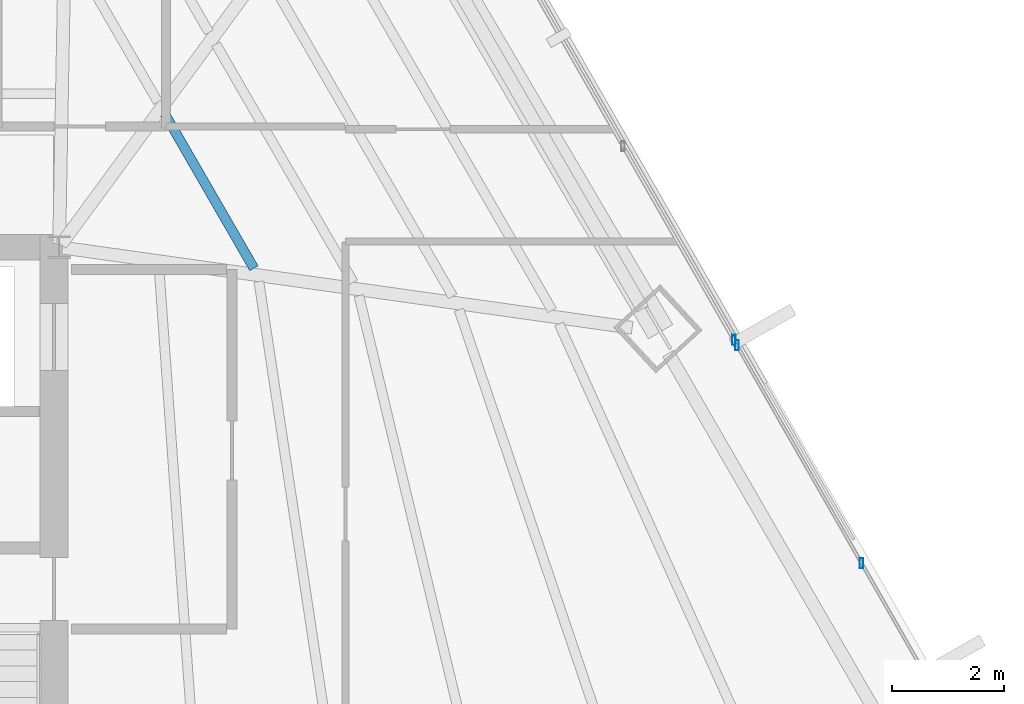
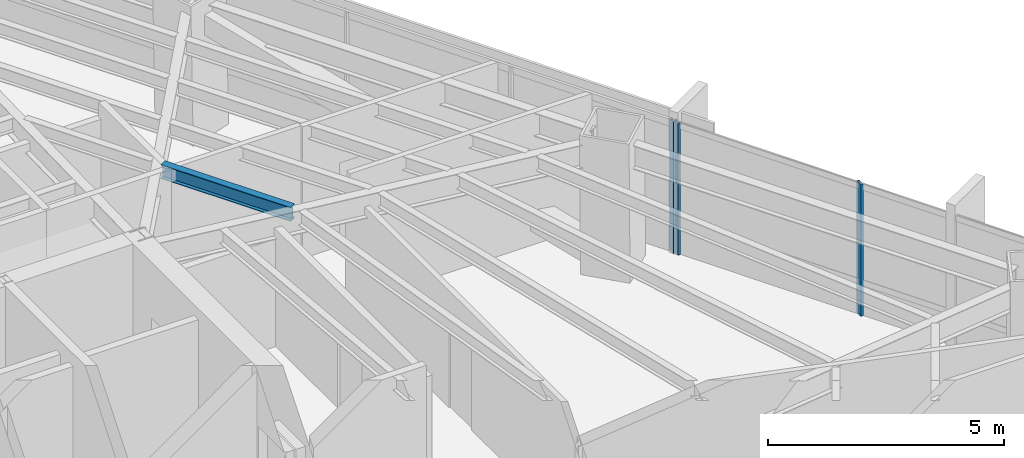
# One storey, part 21 of 35: 3 members, 1 beam, 2 elements without a shape of their own.
"""IFC4 building model written with IfcOpenShell, lengths in metres."""

import ifcopenshell
import ifcopenshell.guid

model = None  # the IFC model being written
_history = None  # IfcOwnerHistory: only IFC2X3 demands one
_inside = {}  # id of a spatial element -> (the spatial element, [elements in it])
_under = {}  # id of a project, library or spatial element -> (it, [spatial elements below it])
_declared = {}  # id of a project -> (the project, [libraries it declares])
_typed = {}  # id of a type object -> (the type object, [elements of that type])
_made_of = {}  # id of a material, layer set ... -> (it, [elements and type objects made of it])


def new_model(schema):
    """Start an empty IFC model of exactly this schema.

    Asked for "IFC4X3", IfcOpenShell would pick the latest addendum, in which some entities
    have other attributes; the version numbers below select the first issue.
    IFC2X3 requires an IfcOwnerHistory on every rooted entity: one is made here for all.
    """
    global model, _history
    if schema == "IFC4X3":
        model = ifcopenshell.file(schema_version=(4, 3, 0, 0))
    else:
        model = ifcopenshell.file(schema=schema)
    _inside.clear()
    _under.clear()
    _declared.clear()
    _typed.clear()
    _made_of.clear()
    _history = None
    if model.schema == "IFC2X3":
        org = make("IfcOrganization", Name="unknown")
        user = make(
            "IfcPersonAndOrganization",
            ThePerson=make("IfcPerson", FamilyName="unknown"),
            TheOrganization=org,
        )
        app = make(
            "IfcApplication",
            ApplicationDeveloper=org,
            Version="unknown",
            ApplicationFullName="unknown",
            ApplicationIdentifier="unknown",
        )
        _history = make(
            "IfcOwnerHistory",
            OwningUser=user,
            OwningApplication=app,
            ChangeAction="ADDED",
            CreationDate=0,
        )
    return model


def make(cls, **values):
    """One entity of the class cls with the attributes given. An attribute that is None is left unset."""
    return model.create_entity(
        cls, **{name: value for name, value in values.items() if value is not None}
    )


def rooted(cls, **values):
    """An entity with a GlobalId (a new one), such as an element, a storey or a relation."""
    return make(cls, GlobalId=ifcopenshell.guid.new(), OwnerHistory=_history, **values)


def si_unit(unit_type, name, prefix=None):
    """IfcSIUnit, for example si_unit("LENGTHUNIT", "METRE", prefix="MILLI")."""
    return make("IfcSIUnit", UnitType=unit_type, Prefix=prefix, Name=name)


def assignment(units):
    """IfcUnitAssignment: the units of a project."""
    return None if units is None else make("IfcUnitAssignment", Units=units)


def point(xyz):
    """IfcCartesianPoint."""
    return None if xyz is None else make("IfcCartesianPoint", Coordinates=xyz)


def direction(xyz):
    """IfcDirection."""
    return None if xyz is None else make("IfcDirection", DirectionRatios=xyz)


def frame(location, z_axis=None, x_axis=None):
    """IfcAxis2Placement3D, a coordinate frame: its origin and axes. An axis left out is left unset."""
    return make(
        "IfcAxis2Placement3D",
        Location=point(location),
        Axis=direction(z_axis),
        RefDirection=direction(x_axis),
    )


def frame_2d(location, x_axis=None):
    """IfcAxis2Placement2D, a coordinate frame in the plane: its origin and x axis."""
    return make(
        "IfcAxis2Placement2D", Location=point(location), RefDirection=direction(x_axis)
    )


def origin():
    """The frame at (0, 0, 0) with its axes left unset."""
    return frame((0.0, 0.0, 0.0))


def origin_2d():
    """The frame at (0, 0) in the plane with its x axis left unset."""
    return frame_2d((0.0, 0.0))


def place(relative_to, where):
    """IfcLocalPlacement: puts the frame where relative to a parent placement (None: the world)."""
    return make(
        "IfcLocalPlacement", PlacementRelTo=relative_to, RelativePlacement=where
    )


def context(
    kind, dimensions, precision=None, world=None, true_north=None, identifier=None
):
    """IfcGeometricRepresentationContext, for example the 3D "Model" context."""
    return make(
        "IfcGeometricRepresentationContext",
        ContextIdentifier=identifier,
        ContextType=kind,
        CoordinateSpaceDimension=dimensions,
        Precision=precision,
        WorldCoordinateSystem=world,
        TrueNorth=true_north,
    )


def subcontext(parent, identifier, kind, view, scale=None):
    """IfcGeometricRepresentationSubContext, for example "Body" below "Model"."""
    return make(
        "IfcGeometricRepresentationSubContext",
        ContextIdentifier=identifier,
        ContextType=kind,
        ParentContext=parent,
        TargetScale=scale,
        TargetView=view,
    )


def project(units=None, contexts=None):
    """IfcProject with its units and contexts."""
    return rooted(
        "IfcProject",
        Name="project",
        RepresentationContexts=contexts,
        UnitsInContext=assignment(units),
    )


def spatial(cls, under=None, at=None, **own):
    """A site, building, storey or space (cls), placed at a placement, below another one or the project."""
    s = rooted(cls, ObjectPlacement=at, **own)
    if under is not None:
        _under.setdefault(under.id(), (under, []))[1].append(s)
    return s


def profile(cls, at=None, kind="AREA", **sizes):
    """A parametric profile (cls). Its sizes go by their IFC names, for example OverallWidth=200.0."""
    return make(cls, ProfileType=kind, Position=at, **sizes)


def hollow_rectangle(**sizes):
    """IfcRectangleHollowProfileDef."""
    return profile("IfcRectangleHollowProfileDef", **sizes)


def i_section(**sizes):
    """IfcIShapeProfileDef."""
    return profile("IfcIShapeProfileDef", **sizes)


def extrude(swept, where, along, depth):
    """IfcExtrudedAreaSolid: the profile swept, set in the frame where, extruded along a direction by depth."""
    return make(
        "IfcExtrudedAreaSolid",
        SweptArea=swept,
        Position=where,
        ExtrudedDirection=direction(along),
        Depth=depth,
    )


def shape(context_of_items, identifier, shape_type, items):
    """IfcShapeRepresentation: the items that make up one representation, for example the "Body"."""
    return make(
        "IfcShapeRepresentation",
        ContextOfItems=context_of_items,
        RepresentationIdentifier=identifier,
        RepresentationType=shape_type,
        Items=items,
    )


def source(mapping_origin, context_of_items, identifier, shape_type, items):
    """IfcRepresentationMap: a shape defined once, which mapped items show again and again."""
    return make(
        "IfcRepresentationMap",
        MappingOrigin=mapping_origin,
        MappedRepresentation=shape(context_of_items, identifier, shape_type, items),
    )


def transform(
    local_origin,
    x_axis=None,
    y_axis=None,
    z_axis=None,
    scale=None,
    scale2=None,
    scale3=None,
    uniform=True,
):
    """IfcCartesianTransformationOperator3D, or its non-uniform kind. x_axis, y_axis, z_axis: its Axis1, 2, 3."""
    if uniform:
        return make(
            "IfcCartesianTransformationOperator3D",
            Axis1=direction(x_axis),
            Axis2=direction(y_axis),
            LocalOrigin=point(local_origin),
            Scale=scale,
            Axis3=direction(z_axis),
        )
    return make(
        "IfcCartesianTransformationOperator3DnonUniform",
        Axis1=direction(x_axis),
        Axis2=direction(y_axis),
        LocalOrigin=point(local_origin),
        Scale=scale,
        Axis3=direction(z_axis),
        Scale2=scale2,
        Scale3=scale3,
    )


def mapped(mapping_source, mapping_target):
    """IfcMappedItem: shows the shape of a source again, moved by a transform."""
    return make(
        "IfcMappedItem", MappingSource=mapping_source, MappingTarget=mapping_target
    )


def material(Name=None, Category=None):
    """IfcMaterial."""
    return make("IfcMaterial", Name=Name, Category=Category)


def material_profile(
    of_material, cross_section, Name=None, Category=None, Priority=None
):
    """IfcMaterialProfile: a cross section and its material."""
    return make(
        "IfcMaterialProfile",
        Name=Name,
        Material=of_material,
        Profile=cross_section,
        Priority=Priority,
        Category=Category,
    )


def profile_set(profiles, Name=None, composite=None):
    """IfcMaterialProfileSet."""
    return make(
        "IfcMaterialProfileSet",
        Name=Name,
        MaterialProfiles=profiles,
        CompositeProfile=composite,
    )


def made_of(thing, what):
    """Note that an element or type object is made of a material, layer set ...; save() writes the relation."""
    if what is not None:
        _made_of.setdefault(what.id(), (what, []))[1].append(thing)
    return thing


def type_object(cls, material=None, **own):
    """A type object (cls), such as IfcWallType, which elements share."""
    return made_of(rooted(cls, **own), material)


def type_shapes(of_type, sources):
    """Give a type object the sources (RepresentationMaps) that its elements show as mapped items."""
    of_type.RepresentationMaps = sources


def element(
    cls,
    number,
    at=None,
    inside=None,
    cuts=None,
    type_object=None,
    material=None,
    context=None,
    identifier="Body",
    shape_type=None,
    held_by="IfcProductDefinitionShape",
    body=None,
    shapes=None,
    **own,
):
    """One element of the class cls, such as IfcWall. Its Tag is "e" and its number.

    at: its placement. inside: the storey or other place that contains it. cuts: it is an
    opening in that element (IfcRelVoidsElement). A single representation is given by context,
    identifier, shape_type and body (its items); several are given by shapes. held_by: the class
    of the entity that holds the representations. save() writes the other relations.
    """
    e = rooted(cls, Tag="e%d" % number, ObjectPlacement=at, **own)
    if body is not None:
        shapes = [shape(context, identifier, shape_type, body)]
    if shapes is not None:
        e.Representation = make(held_by, Representations=shapes)
    if inside is not None:
        _inside.setdefault(inside.id(), (inside, []))[1].append(e)
    if cuts is not None:
        rooted(
            "IfcRelVoidsElement", RelatingBuildingElement=cuts, RelatedOpeningElement=e
        )
    if type_object is not None:
        _typed.setdefault(type_object.id(), (type_object, []))[1].append(e)
    return made_of(e, material)


def aggregate(whole, parts):
    """IfcRelAggregates: a whole, such as a stair, and the parts it consists of."""
    return rooted("IfcRelAggregates", RelatingObject=whole, RelatedObjects=parts)


def save(model, path):
    """Write the relations noted so far, then the file.

    IfcRelAggregates (storeys below a building ...), IfcRelContainedInSpatialStructure (elements
    in a storey), IfcRelDefinesByType, IfcRelAssociatesMaterial and IfcRelDeclares: one each for
    every whole, place, type object, material and project.
    """
    for whole, parts in _under.values():
        aggregate(whole, parts)
    for where, things in _inside.values():
        rooted(
            "IfcRelContainedInSpatialStructure",
            RelatedElements=things,
            RelatingStructure=where,
        )
    for kind, things in _typed.values():
        rooted("IfcRelDefinesByType", RelatedObjects=things, RelatingType=kind)
    for what, things in _made_of.values():
        rooted("IfcRelAssociatesMaterial", RelatedObjects=things, RelatingMaterial=what)
    for by, libraries in _declared.values():
        rooted("IfcRelDeclares", RelatingContext=by, RelatedDefinitions=libraries)
    model.write(path)


model = new_model("IFC4")

# Units and contexts
model_context = context("Model", 3, precision=1e-05, world=origin(), true_north=direction((0.0, 1.0)))
body_context = subcontext(model_context, "Body", "Model", "MODEL_VIEW")
ifc_project = project(units=[si_unit("LENGTHUNIT", "METRE"), si_unit("AREAUNIT", "SQUARE_METRE"), si_unit("VOLUMEUNIT", "CUBIC_METRE"), si_unit("PLANEANGLEUNIT", "RADIAN"), si_unit("MASSUNIT", "GRAM", prefix="KILO")], contexts=[model_context])

# Site, building, storey
site_placement = place(None, origin())
site = spatial("IfcSite", under=ifc_project, at=site_placement, CompositionType="ELEMENT")
building_placement = place(site_placement, origin())
building = spatial("IfcBuilding", under=site, at=building_placement, Name="Caelisora Broadcast Tower", CompositionType="ELEMENT")
storey_placement = place(building_placement, frame((0.0, 0.0, 87.14990234375)))
storey = spatial("IfcBuildingStorey", under=building, at=storey_placement, Name="L22", CompositionType="ELEMENT", Elevation=87.14990234375)

# Beam
ifc_material_1 = material(Name="Steel Grade 350 (AS/NZS 3679.1)", Category="steel")
ifc_material_profile_1 = material_profile(ifc_material_1, i_section(OverallWidth=0.172119140625, OverallDepth=0.358642578125, WebThickness=0.008056640625, FlangeThickness=0.012939453125, at=origin_2d()), Name="Steel Grade 350 (AS/NZS 3679.1)")
ifc_profile_set_1 = profile_set([ifc_material_profile_1], Name="Steel Grade 350 (AS/NZS 3679.1)")
beam_type = type_object("IfcBeamType", Name="SB02", PredefinedType="JOIST", material=ifc_profile_set_1)
shared_shape_1 = source(origin(), body_context, "Body", "SweptSolid", [
    extrude(i_section(OverallWidth=0.172119140625, OverallDepth=0.358642578125, WebThickness=0.008056640625, FlangeThickness=0.012939453125, at=origin_2d()), origin(), (0.0, 0.0, 1.0), 3.17724609375),
])
type_shapes(beam_type, [shared_shape_1])
beam_placement = place(storey_placement, frame((48.970458984375, 29.624267578125, 3.220703125), z_axis=(-0.499981853705, 0.866035880299, 0.0), x_axis=(-0.866035880299, -0.499981853705, 0.0)))
element("IfcBeam", 1, at=beam_placement, inside=storey, type_object=beam_type, Name="L22 beam SB02", PredefinedType="JOIST", context=body_context, shape_type="MappedRepresentation", body=[
    mapped(shared_shape_1, transform((0.0, 0.0, 0.0), scale=1.0)),
])

# Curtain wall, member
ifc_material_2 = material(Name="Unitised Aluminium Insulated Shadow-Box Spandrel Curtain Wall", Category="aluminium")
curtain_wall_type_1 = type_object("IfcCurtainWallType", Name="CW-SP1", PredefinedType="NOTDEFINED", material=ifc_material_2)
curtain_wall_1_placement = place(storey_placement, origin())
curtain_wall_1 = element("IfcCurtainWall", 2, at=curtain_wall_1_placement, inside=storey, type_object=curtain_wall_type_1, Name="L22 curtain wall CW-SP1", PredefinedType="NOTDEFINED")
ifc_material_3 = material(Name="Aluminium 6063-T6 Anodised Terracotta Bronze", Category="aluminium")
ifc_material_profile_2 = material_profile(ifc_material_3, hollow_rectangle(XDim=0.06494140625, YDim=0.179931640625, WallThickness=0.00341796875, at=origin_2d()), Name="Aluminium 6063-T6 Anodised Terracotta Bronze")
ifc_profile_set_2 = profile_set([ifc_material_profile_2], Name="Aluminium 6063-T6 Anodised Terracotta Bronze")
member_type = type_object("IfcMemberType", Name="CWM-02", PredefinedType="MULLION", material=ifc_profile_set_2)
shared_shape_2 = source(origin(), body_context, "Body", "SweptSolid", [
    extrude(hollow_rectangle(XDim=0.06494140625, YDim=0.179931640625, WallThickness=0.00341796875, at=origin_2d()), origin(), (0.0, 0.0, 1.0), 3.400146484375),
])
type_shapes(member_type, [shared_shape_2])
member_1_placement = place(storey_placement, frame((57.51953125, 28.348388671875, 0.0), z_axis=(0.0, 0.0, 1.0), x_axis=(1.0, 0.0, 0.0)))
member_1 = element("IfcMember", 3, at=member_1_placement, type_object=member_type, Name="L22-CW-B02 mullion #3", PredefinedType="MULLION", context=body_context, shape_type="MappedRepresentation", body=[
    mapped(shared_shape_2, transform((0.0, 0.0, 0.0), scale=1.0)),
])
aggregate(curtain_wall_1, [member_1])

# Curtain wall, members
ifc_material_4 = material(Name="Unitised Aluminium and Low-E Glass Curtain Wall", Category="glass")
curtain_wall_type_2 = type_object("IfcCurtainWallType", Name="CW-Z2", PredefinedType="NOTDEFINED", material=ifc_material_4)
curtain_wall_2_placement = place(storey_placement, origin())
curtain_wall_2 = element("IfcCurtainWall", 4, at=curtain_wall_2_placement, inside=storey, type_object=curtain_wall_type_2, Name="L22 curtain wall CW-Z2", PredefinedType="NOTDEFINED")
member_2_placement = place(storey_placement, frame((57.57421875, 28.2529296875, 0.0), z_axis=(0.0, 0.0, 1.0), x_axis=(1.0, 0.0, 0.0)))
member_2 = element("IfcMember", 5, at=member_2_placement, type_object=member_type, Name="L22-CW-B03 mullion #0", PredefinedType="MULLION", context=body_context, shape_type="MappedRepresentation", body=[
    mapped(shared_shape_2, transform((0.0, 0.0, 0.0), scale=1.0)),
])
member_3_placement = place(storey_placement, frame((59.7958984375, 24.369140625, 0.0), z_axis=(0.0, 0.0, 1.0), x_axis=(1.0, 0.0, 0.0)))
member_3 = element("IfcMember", 6, at=member_3_placement, type_object=member_type, Name="L22-CW-B03 mullion #1", PredefinedType="MULLION", context=body_context, shape_type="MappedRepresentation", body=[
    mapped(shared_shape_2, transform((0.0, 0.0, 0.0), scale=1.0)),
])
aggregate(curtain_wall_2, [member_2, member_3])

save(model, "model.ifc")
